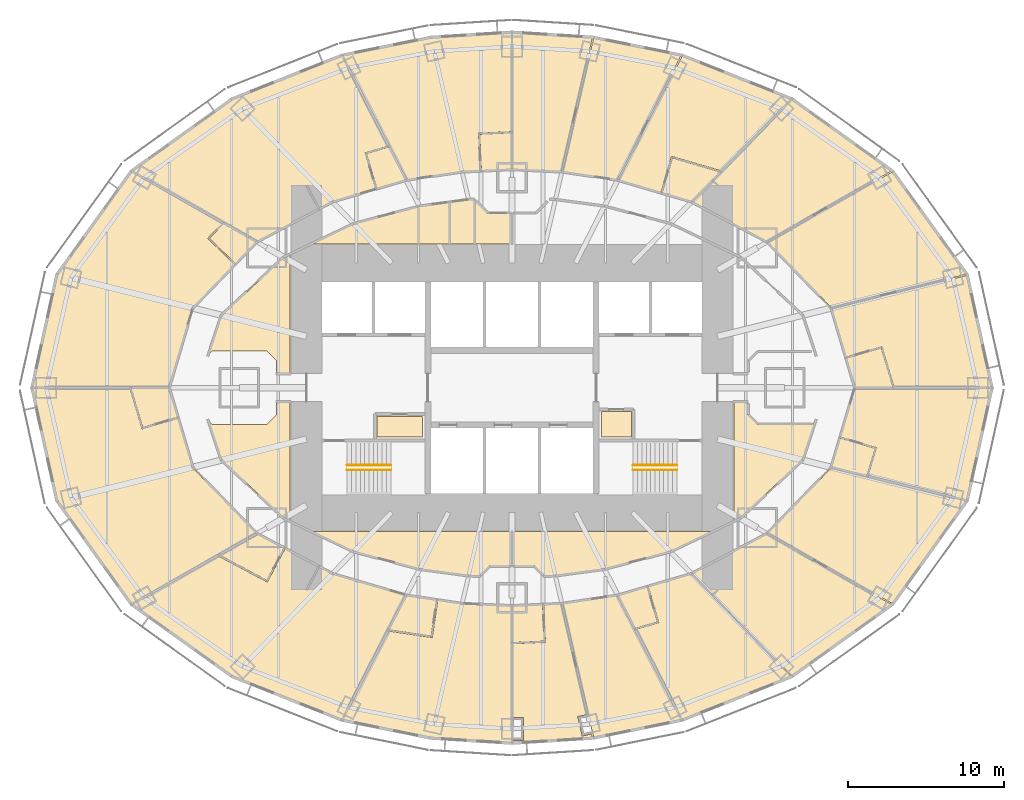
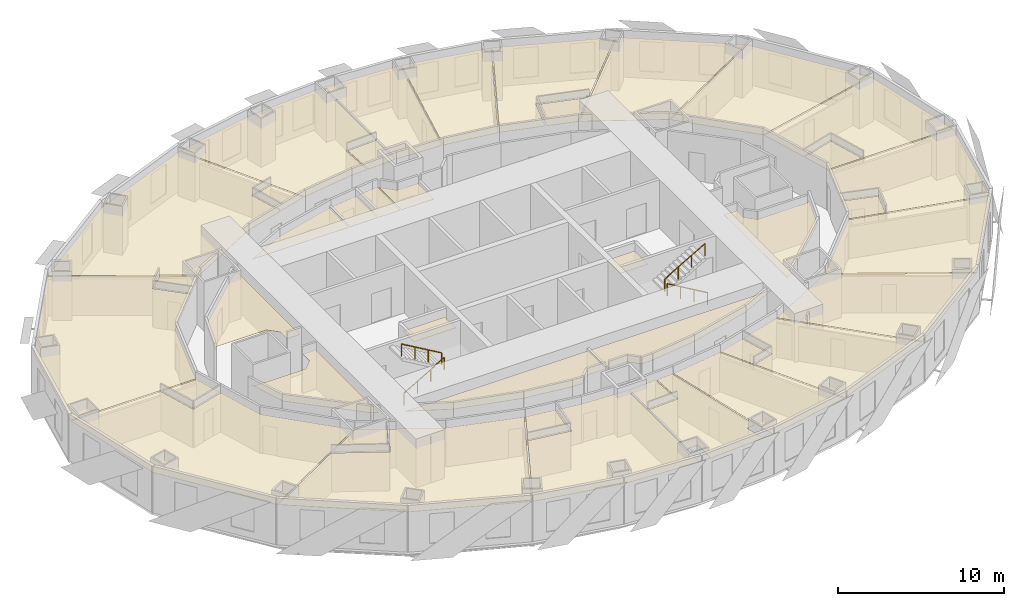
# One storey, part 15 of 15: 40 coverings, 4 railings.
"""IFC4 building model written with IfcOpenShell, lengths in metres."""

import ifcopenshell
import ifcopenshell.guid

model = None  # the IFC model being written
_history = None  # IfcOwnerHistory: only IFC2X3 demands one
_inside = {}  # id of a spatial element -> (the spatial element, [elements in it])
_under = {}  # id of a project, library or spatial element -> (it, [spatial elements below it])
_declared = {}  # id of a project -> (the project, [libraries it declares])
_typed = {}  # id of a type object -> (the type object, [elements of that type])
_made_of = {}  # id of a material, layer set ... -> (it, [elements and type objects made of it])


def new_model(schema):
    """Start an empty IFC model of exactly this schema.

    Asked for "IFC4X3", IfcOpenShell would pick the latest addendum, in which some entities
    have other attributes; the version numbers below select the first issue.
    IFC2X3 requires an IfcOwnerHistory on every rooted entity: one is made here for all.
    """
    global model, _history
    if schema == "IFC4X3":
        model = ifcopenshell.file(schema_version=(4, 3, 0, 0))
    else:
        model = ifcopenshell.file(schema=schema)
    _inside.clear()
    _under.clear()
    _declared.clear()
    _typed.clear()
    _made_of.clear()
    _history = None
    if model.schema == "IFC2X3":
        org = make("IfcOrganization", Name="unknown")
        user = make(
            "IfcPersonAndOrganization",
            ThePerson=make("IfcPerson", FamilyName="unknown"),
            TheOrganization=org,
        )
        app = make(
            "IfcApplication",
            ApplicationDeveloper=org,
            Version="unknown",
            ApplicationFullName="unknown",
            ApplicationIdentifier="unknown",
        )
        _history = make(
            "IfcOwnerHistory",
            OwningUser=user,
            OwningApplication=app,
            ChangeAction="ADDED",
            CreationDate=0,
        )
    return model


def make(cls, **values):
    """One entity of the class cls with the attributes given. An attribute that is None is left unset."""
    return model.create_entity(
        cls, **{name: value for name, value in values.items() if value is not None}
    )


def rooted(cls, **values):
    """An entity with a GlobalId (a new one), such as an element, a storey or a relation."""
    return make(cls, GlobalId=ifcopenshell.guid.new(), OwnerHistory=_history, **values)


def si_unit(unit_type, name, prefix=None):
    """IfcSIUnit, for example si_unit("LENGTHUNIT", "METRE", prefix="MILLI")."""
    return make("IfcSIUnit", UnitType=unit_type, Prefix=prefix, Name=name)


def assignment(units):
    """IfcUnitAssignment: the units of a project."""
    return None if units is None else make("IfcUnitAssignment", Units=units)


def point(xyz):
    """IfcCartesianPoint."""
    return None if xyz is None else make("IfcCartesianPoint", Coordinates=xyz)


def direction(xyz):
    """IfcDirection."""
    return None if xyz is None else make("IfcDirection", DirectionRatios=xyz)


def frame(location, z_axis=None, x_axis=None):
    """IfcAxis2Placement3D, a coordinate frame: its origin and axes. An axis left out is left unset."""
    return make(
        "IfcAxis2Placement3D",
        Location=point(location),
        Axis=direction(z_axis),
        RefDirection=direction(x_axis),
    )


def frame_2d(location, x_axis=None):
    """IfcAxis2Placement2D, a coordinate frame in the plane: its origin and x axis."""
    return make(
        "IfcAxis2Placement2D", Location=point(location), RefDirection=direction(x_axis)
    )


def origin():
    """The frame at (0, 0, 0) with its axes left unset."""
    return frame((0.0, 0.0, 0.0))


def origin_2d():
    """The frame at (0, 0) in the plane with its x axis left unset."""
    return frame_2d((0.0, 0.0))


def place(relative_to, where):
    """IfcLocalPlacement: puts the frame where relative to a parent placement (None: the world)."""
    return make(
        "IfcLocalPlacement", PlacementRelTo=relative_to, RelativePlacement=where
    )


def context(
    kind, dimensions, precision=None, world=None, true_north=None, identifier=None
):
    """IfcGeometricRepresentationContext, for example the 3D "Model" context."""
    return make(
        "IfcGeometricRepresentationContext",
        ContextIdentifier=identifier,
        ContextType=kind,
        CoordinateSpaceDimension=dimensions,
        Precision=precision,
        WorldCoordinateSystem=world,
        TrueNorth=true_north,
    )


def subcontext(parent, identifier, kind, view, scale=None):
    """IfcGeometricRepresentationSubContext, for example "Body" below "Model"."""
    return make(
        "IfcGeometricRepresentationSubContext",
        ContextIdentifier=identifier,
        ContextType=kind,
        ParentContext=parent,
        TargetScale=scale,
        TargetView=view,
    )


def project(units=None, contexts=None):
    """IfcProject with its units and contexts."""
    return rooted(
        "IfcProject",
        Name="project",
        RepresentationContexts=contexts,
        UnitsInContext=assignment(units),
    )


def spatial(cls, under=None, at=None, **own):
    """A site, building, storey or space (cls), placed at a placement, below another one or the project."""
    s = rooted(cls, ObjectPlacement=at, **own)
    if under is not None:
        _under.setdefault(under.id(), (under, []))[1].append(s)
    return s


def polyline(points):
    """IfcPolyline through the points."""
    return make("IfcPolyline", Points=[point(p) for p in points])


def profile(cls, at=None, kind="AREA", **sizes):
    """A parametric profile (cls). Its sizes go by their IFC names, for example OverallWidth=200.0."""
    return make(cls, ProfileType=kind, Position=at, **sizes)


def circle(**sizes):
    """IfcCircleProfileDef."""
    return profile("IfcCircleProfileDef", **sizes)


def outline(outer, holes=None, kind="AREA"):
    """IfcArbitraryClosedProfileDef: a profile drawn as a closed curve; with holes, ...WithVoids."""
    if holes is None:
        return make("IfcArbitraryClosedProfileDef", ProfileType=kind, OuterCurve=outer)
    return make(
        "IfcArbitraryProfileDefWithVoids",
        ProfileType=kind,
        OuterCurve=outer,
        InnerCurves=holes,
    )


def extrude(swept, where, along, depth):
    """IfcExtrudedAreaSolid: the profile swept, set in the frame where, extruded along a direction by depth."""
    return make(
        "IfcExtrudedAreaSolid",
        SweptArea=swept,
        Position=where,
        ExtrudedDirection=direction(along),
        Depth=depth,
    )


def shape(context_of_items, identifier, shape_type, items):
    """IfcShapeRepresentation: the items that make up one representation, for example the "Body"."""
    return make(
        "IfcShapeRepresentation",
        ContextOfItems=context_of_items,
        RepresentationIdentifier=identifier,
        RepresentationType=shape_type,
        Items=items,
    )


def material(Name=None, Category=None):
    """IfcMaterial."""
    return make("IfcMaterial", Name=Name, Category=Category)


def layer(
    of_material, thickness, ventilated=None, Name=None, Category=None, Priority=None
):
    """IfcMaterialLayer: one layer of a wall or slab, of a material (None: an air gap)."""
    return make(
        "IfcMaterialLayer",
        Material=of_material,
        LayerThickness=thickness,
        IsVentilated=ventilated,
        Name=Name,
        Category=Category,
        Priority=Priority,
    )


def layer_set(layers, Name=None):
    """IfcMaterialLayerSet."""
    return make("IfcMaterialLayerSet", MaterialLayers=layers, LayerSetName=Name)


def made_of(thing, what):
    """Note that an element or type object is made of a material, layer set ...; save() writes the relation."""
    if what is not None:
        _made_of.setdefault(what.id(), (what, []))[1].append(thing)
    return thing


def type_object(cls, material=None, **own):
    """A type object (cls), such as IfcWallType, which elements share."""
    return made_of(rooted(cls, **own), material)


def element(
    cls,
    number,
    at=None,
    inside=None,
    cuts=None,
    type_object=None,
    material=None,
    context=None,
    identifier="Body",
    shape_type=None,
    held_by="IfcProductDefinitionShape",
    body=None,
    shapes=None,
    **own,
):
    """One element of the class cls, such as IfcWall. Its Tag is "e" and its number.

    at: its placement. inside: the storey or other place that contains it. cuts: it is an
    opening in that element (IfcRelVoidsElement). A single representation is given by context,
    identifier, shape_type and body (its items); several are given by shapes. held_by: the class
    of the entity that holds the representations. save() writes the other relations.
    """
    e = rooted(cls, Tag="e%d" % number, ObjectPlacement=at, **own)
    if body is not None:
        shapes = [shape(context, identifier, shape_type, body)]
    if shapes is not None:
        e.Representation = make(held_by, Representations=shapes)
    if inside is not None:
        _inside.setdefault(inside.id(), (inside, []))[1].append(e)
    if cuts is not None:
        rooted(
            "IfcRelVoidsElement", RelatingBuildingElement=cuts, RelatedOpeningElement=e
        )
    if type_object is not None:
        _typed.setdefault(type_object.id(), (type_object, []))[1].append(e)
    return made_of(e, material)


def aggregate(whole, parts):
    """IfcRelAggregates: a whole, such as a stair, and the parts it consists of."""
    return rooted("IfcRelAggregates", RelatingObject=whole, RelatedObjects=parts)


def save(model, path):
    """Write the relations noted so far, then the file.

    IfcRelAggregates (storeys below a building ...), IfcRelContainedInSpatialStructure (elements
    in a storey), IfcRelDefinesByType, IfcRelAssociatesMaterial and IfcRelDeclares: one each for
    every whole, place, type object, material and project.
    """
    for whole, parts in _under.values():
        aggregate(whole, parts)
    for where, things in _inside.values():
        rooted(
            "IfcRelContainedInSpatialStructure",
            RelatedElements=things,
            RelatingStructure=where,
        )
    for kind, things in _typed.values():
        rooted("IfcRelDefinesByType", RelatedObjects=things, RelatingType=kind)
    for what, things in _made_of.values():
        rooted("IfcRelAssociatesMaterial", RelatedObjects=things, RelatingMaterial=what)
    for by, libraries in _declared.values():
        rooted("IfcRelDeclares", RelatingContext=by, RelatedDefinitions=libraries)
    model.write(path)


model = new_model("IFC4")

# Units and contexts
model_context = context("Model", 3, precision=1e-05, world=origin(), true_north=direction((0.0, 1.0)))
body_context = subcontext(model_context, "Body", "Model", "MODEL_VIEW")
ifc_project = project(units=[si_unit("LENGTHUNIT", "METRE"), si_unit("AREAUNIT", "SQUARE_METRE"), si_unit("VOLUMEUNIT", "CUBIC_METRE"), si_unit("PLANEANGLEUNIT", "RADIAN"), si_unit("MASSUNIT", "GRAM", prefix="KILO")], contexts=[model_context])

# Site, building, storey
site_placement = place(None, origin())
site = spatial("IfcSite", under=ifc_project, at=site_placement, CompositionType="ELEMENT")
building_placement = place(site_placement, origin())
building = spatial("IfcBuilding", under=site, at=building_placement, Name="Lantaw Convention Tower", CompositionType="ELEMENT")
storey_placement = place(building_placement, frame((0.0, 0.0, 76.60009765625)))
storey = spatial("IfcBuildingStorey", under=building, at=storey_placement, Name="L17", CompositionType="ELEMENT", Elevation=76.60009765625)

# Railings
ifc_material_1 = material(Name="Stainless steel", Category="steel")
railing_type = type_object("IfcRailingType", Name="Stair handrail", PredefinedType="HANDRAIL", material=ifc_material_1)
railing_1_placement = place(storey_placement, frame((-10.580078125, -5.280029296875, 0.16357421875)))
element("IfcRailing", 1, at=railing_1_placement, inside=storey, type_object=railing_type, Name="Stair handrail S1", PredefinedType="HANDRAIL", context=body_context, shape_type="SweptSolid", body=[
    extrude(circle(Radius=0.02392578125, at=origin_2d()), frame((0.0, 0.0, 0.8759765625), z_axis=(0.863393664356, 0.0, 0.504530851732), x_axis=(0.0, 1.0, 0.0)), (0.0, 0.0, 1.0), 3.2431640625),
    extrude(circle(Radius=0.02099609375, at=origin_2d()), origin(), (0.0, 0.0, 1.0), 0.851806640625),
    extrude(circle(Radius=0.02099609375, at=origin_2d()), frame((0.933349609375, 0.0, 0.54541015625)), (0.0, 0.0, 1.0), 0.851806640625),
    extrude(circle(Radius=0.02099609375, at=origin_2d()), frame((1.86669921875, 0.0, 1.0908203125)), (0.0, 0.0, 1.0), 0.851806640625),
    extrude(circle(Radius=0.02099609375, at=origin_2d()), frame((2.800048828125, 0.0, 1.63623046875)), (0.0, 0.0, 1.0), 0.851806640625),
])
for number, where, name in (
    (2, (-7.780029296875, -4.97998046875, 1.963623046875), "Stair handrail S1"),
    (3, (10.580078125, -5.280029296875, 0.16357421875), "Stair handrail S2"),
):
    element("IfcRailing", number, at=place(storey_placement, frame(where)), inside=storey, type_object=railing_type, Name=name, PredefinedType="HANDRAIL", context=body_context, shape_type="SweptSolid", body=[
        extrude(circle(Radius=0.02392578125, at=origin_2d()), frame((0.0, 0.0, 0.8759765625), z_axis=(-0.863393664356, 0.0, 0.504530851732), x_axis=(0.0, -1.0, 0.0)), (0.0, 0.0, 1.0), 3.2431640625),
        extrude(circle(Radius=0.02099609375, at=origin_2d()), origin(), (0.0, 0.0, 1.0), 0.851806640625),
        extrude(circle(Radius=0.02099609375, at=origin_2d()), frame((-0.933349609375, 0.0, 0.54541015625)), (0.0, 0.0, 1.0), 0.851806640625),
        extrude(circle(Radius=0.02099609375, at=origin_2d()), frame((-1.86669921875, 0.0, 1.0908203125)), (0.0, 0.0, 1.0), 0.851806640625),
        extrude(circle(Radius=0.02099609375, at=origin_2d()), frame((-2.800048828125, 0.0, 1.63623046875)), (0.0, 0.0, 1.0), 0.851806640625),
    ])
railing_2_placement = place(storey_placement, frame((7.780029296875, -4.97998046875, 1.963623046875)))
element("IfcRailing", 4, at=railing_2_placement, inside=storey, type_object=railing_type, Name="Stair handrail S2", PredefinedType="HANDRAIL", context=body_context, shape_type="SweptSolid", body=[
    extrude(circle(Radius=0.02392578125, at=origin_2d()), frame((0.0, 0.0, 0.8759765625), z_axis=(0.863393664356, 0.0, 0.504530851732), x_axis=(0.0, 1.0, 0.0)), (0.0, 0.0, 1.0), 3.2431640625),
    extrude(circle(Radius=0.02099609375, at=origin_2d()), origin(), (0.0, 0.0, 1.0), 0.851806640625),
    extrude(circle(Radius=0.02099609375, at=origin_2d()), frame((0.933349609375, 0.0, 0.54541015625)), (0.0, 0.0, 1.0), 0.851806640625),
    extrude(circle(Radius=0.02099609375, at=origin_2d()), frame((1.86669921875, 0.0, 1.0908203125)), (0.0, 0.0, 1.0), 0.851806640625),
    extrude(circle(Radius=0.02099609375, at=origin_2d()), frame((2.800048828125, 0.0, 1.63623046875)), (0.0, 0.0, 1.0), 0.851806640625),
])

# Coverings
ifc_material_2 = material(Name="Gypsum board on steel suspension grid", Category="steel")
ifc_layer = layer(ifc_material_2, 0.02001953125)
ifc_layer_set = layer_set([ifc_layer], Name="Suspended ceiling")
covering_type = type_object("IfcCoveringType", Name="Suspended ceiling", PredefinedType="CEILING", material=ifc_layer_set)
covering_1_placement = place(storey_placement, frame((0.0, 0.0, 2.849853515625)))
element("IfcCovering", 5, at=covering_1_placement, inside=storey, type_object=covering_type, Name="IT and comms room ceiling", PredefinedType="CEILING", context=body_context, shape_type="SweptSolid", body=[
    extrude(outline(polyline([(-8.659912109375, -3.159912109375), (-5.739990234375, -3.159912109375), (-5.739990234375, -1.840087890625), (-8.659912109375, -1.840087890625), (-8.659912109375, -3.159912109375)])), origin(), (0.0, 0.0, 1.0), 0.02001953125),
])
covering_2_placement = place(storey_placement, frame((0.0, 0.0, 2.849853515625)))
element("IfcCovering", 6, at=covering_2_placement, inside=storey, type_object=covering_type, Name="Staff WC ceiling", PredefinedType="CEILING", context=body_context, shape_type="SweptSolid", body=[
    extrude(outline(polyline([(5.739990234375, -3.159912109375), (7.659912109375, -3.159912109375), (7.659912109375, -1.5400390625), (5.739990234375, -1.5400390625), (5.739990234375, -3.159912109375)])), origin(), (0.0, 0.0, 1.0), 0.02001953125),
])
covering_3_placement = place(storey_placement, frame((0.0, 0.0, 2.849853515625)))
element("IfcCovering", 7, at=covering_3_placement, inside=storey, type_object=covering_type, Name="Housekeeping room ceiling", PredefinedType="CEILING", context=body_context, shape_type="SweptSolid", body=[
    extrude(outline(polyline([(-14.239990234375, 8.5478515625), (-14.650390625, 8.351318359375), (-18.63671875, 4.633056640625), (-19.449951171875, 2.15625), (-19.2412109375, 2.364990234375), (-15.7587890625, 2.364990234375), (-15.135009765625, 1.7412109375), (-15.135009765625, 0.93994140625), (-14.239990234375, 0.93994140625), (-14.239990234375, 8.5478515625)])), origin(), (0.0, 0.0, 1.0), 0.02001953125),
])
covering_4_placement = place(storey_placement, frame((0.0, 0.0, 2.849853515625)))
element("IfcCovering", 8, at=covering_4_placement, inside=storey, type_object=covering_type, Name="Accessible WC ceiling", PredefinedType="CEILING", context=body_context, shape_type="SweptSolid", body=[
    extrude(outline(polyline([(-2.360107421875, 9.239990234375), (-0.114990234375, 9.239990234375), (-0.114990234375, 11.175048828125), (-1.548828125, 11.175048828125), (-2.324951171875, 11.951171875), (-2.324951171875, 11.963134765625), (-2.360107421875, 11.998046875), (-2.360107421875, 9.239990234375)])), origin(), (0.0, 0.0, 1.0), 0.02001953125),
])
covering_5_placement = place(storey_placement, frame((0.0, 0.0, 2.849853515625)))
element("IfcCovering", 9, at=covering_5_placement, inside=storey, type_object=covering_type, Name="Staff WC ceiling", PredefinedType="CEILING", context=body_context, shape_type="SweptSolid", body=[
    extrude(outline(polyline([(-2.43994140625, 12.0576171875), (-2.7861328125, 12.043212890625), (-3.9599609375, 11.8857421875), (-3.9599609375, 9.239990234375), (-2.43994140625, 9.239990234375), (-2.43994140625, 12.0576171875)])), origin(), (0.0, 0.0, 1.0), 0.02001953125),
])
covering_6_placement = place(storey_placement, frame((0.0, 0.0, 2.849853515625)))
element("IfcCovering", 10, at=covering_6_placement, inside=storey, type_object=covering_type, Name="Housekeeping pantry ceiling", PredefinedType="CEILING", context=body_context, shape_type="SweptSolid", body=[
    extrude(outline(polyline([(-5.9599609375, 9.239990234375), (-4.0400390625, 9.239990234375), (-4.0400390625, 11.875), (-5.933349609375, 11.62109375), (-5.9599609375, 11.614013671875), (-5.9599609375, 9.239990234375)])), origin(), (0.0, 0.0, 1.0), 0.02001953125),
])
covering_7_placement = place(storey_placement, frame((0.0, 0.0, 2.849853515625)))
element("IfcCovering", 11, at=covering_7_placement, inside=storey, type_object=covering_type, Name="Housekeeping room ceiling", PredefinedType="CEILING", context=body_context, shape_type="SweptSolid", body=[
    extrude(outline(polyline([(-10.1630859375, 10.500732421875), (-12.795166015625, 9.239990234375), (-6.050048828125, 9.239990234375), (-6.050048828125, 11.590087890625), (-10.1630859375, 10.500732421875)])), origin(), (0.0, 0.0, 1.0), 0.02001953125),
])
covering_8_placement = place(storey_placement, frame((0.0, 0.0, 2.849853515625)))
element("IfcCovering", 12, at=covering_8_placement, inside=storey, type_object=covering_type, Name="Staff room ceiling", PredefinedType="CEILING", context=body_context, shape_type="SweptSolid", body=[
    extrude(outline(polyline([(-14.239990234375, -0.93994140625), (-15.135009765625, -0.93994140625), (-15.135009765625, -1.7412109375), (-15.7587890625, -2.364990234375), (-19.2412109375, -2.364990234375), (-19.449951171875, -2.15625), (-18.63671875, -4.633056640625), (-14.650390625, -8.351318359375), (-14.239990234375, -8.5478515625), (-14.239990234375, -0.93994140625)])), origin(), (0.0, 0.0, 1.0), 0.02001953125),
])
covering_9_placement = place(storey_placement, frame((0.0, 0.0, 2.849853515625)))
element("IfcCovering", 13, at=covering_9_placement, inside=storey, type_object=covering_type, Name="Staff room ceiling", PredefinedType="CEILING", context=body_context, shape_type="SweptSolid", body=[
    extrude(outline(polyline([(-5.933349609375, -11.62109375), (-2.7861328125, -12.043212890625), (-2.06494140625, -12.073486328125), (-2.06494140625, -12.058837890625), (-1.441162109375, -11.43505859375), (-0.0400390625, -11.43505859375), (-0.0400390625, -9.239990234375), (-12.795166015625, -9.239990234375), (-10.1630859375, -10.500732421875), (-5.933349609375, -11.62109375)])), origin(), (0.0, 0.0, 1.0), 0.02001953125),
])
covering_10_placement = place(storey_placement, frame((0.0, 0.0, 2.849853515625)))
element("IfcCovering", 14, at=covering_10_placement, inside=storey, type_object=covering_type, Name="Room service pantry ceiling", PredefinedType="CEILING", context=body_context, shape_type="SweptSolid", body=[
    extrude(outline(polyline([(14.239990234375, -8.5478515625), (14.650390625, -8.351318359375), (18.63671875, -4.633056640625), (19.449951171875, -2.15625), (19.2412109375, -2.364990234375), (15.7587890625, -2.364990234375), (15.135009765625, -1.7412109375), (15.135009765625, -0.93994140625), (14.239990234375, -0.93994140625), (14.239990234375, -8.5478515625)])), origin(), (0.0, 0.0, 1.0), 0.02001953125),
])
covering_11_placement = place(storey_placement, frame((0.0, 0.0, 2.849853515625)))
element("IfcCovering", 15, at=covering_11_placement, inside=storey, type_object=covering_type, Name="Room service pantry ceiling", PredefinedType="CEILING", context=body_context, shape_type="SweptSolid", body=[
    extrude(outline(polyline([(2.06494140625, -12.073486328125), (2.7861328125, -12.043212890625), (5.933349609375, -11.62109375), (10.1630859375, -10.500732421875), (12.795166015625, -9.239990234375), (0.0400390625, -9.239990234375), (0.0400390625, -11.43505859375), (1.441162109375, -11.43505859375), (2.06494140625, -12.058837890625), (2.06494140625, -12.073486328125)])), origin(), (0.0, 0.0, 1.0), 0.02001953125),
])
covering_12_placement = place(storey_placement, frame((0.0, 0.0, 2.849853515625)))
element("IfcCovering", 16, at=covering_12_placement, inside=storey, type_object=covering_type, Name="Suite bathroom ceiling", PredefinedType="CEILING", context=body_context, shape_type="SweptSolid", body=[
    extrude(outline(polyline([(22.02978515625, 0.0400390625), (24.449951171875, 0.0400390625), (23.70458984375, 2.550537109375), (21.48046875, 1.890380859375), (22.02978515625, 0.0400390625)])), origin(), (0.0, 0.0, 1.0), 0.02001953125),
])
covering_13_placement = place(storey_placement, frame((0.0, 0.0, 2.849853515625)))
element("IfcCovering", 17, at=covering_13_placement, inside=storey, type_object=covering_type, Name="Suite bedroom ceiling", PredefinedType="CEILING", context=body_context, shape_type="SweptSolid", body=[
    extrude(outline(polyline([(20.5341796875, 5.078369140625), (21.457763671875, 1.967041015625), (23.758544921875, 2.650146484375), (24.533447265625, 0.0400390625), (30.77099609375, 0.0400390625), (29.191650390625, 7.205078125), (20.5341796875, 5.078369140625)])), origin(), (0.0, 0.0, 1.0), 0.02001953125),
])
covering_14_placement = place(storey_placement, frame((0.0, 0.0, 2.849853515625)))
element("IfcCovering", 18, at=covering_14_placement, inside=storey, type_object=covering_type, Name="Suite living room ceiling", PredefinedType="CEILING", context=body_context, shape_type="SweptSolid", body=[
    extrude(outline(polyline([(20.49658203125, 5.151611328125), (29.155029296875, 7.2783203125), (24.423095703125, 13.8564453125), (16.433837890625, 9.344482421875), (20.49658203125, 5.151611328125)])), origin(), (0.0, 0.0, 1.0), 0.02001953125),
])
covering_15_placement = place(storey_placement, frame((0.0, 0.0, 2.849853515625)))
element("IfcCovering", 19, at=covering_15_placement, inside=storey, type_object=covering_type, Name="Suite kitchenette and dining room ceiling", PredefinedType="CEILING", context=body_context, shape_type="SweptSolid", body=[
    extrude(outline(polyline([(16.368408203125, 9.3994140625), (24.3603515625, 13.912841796875), (17.97509765625, 18.4892578125), (11.58447265625, 11.93798828125), (16.368408203125, 9.3994140625)])), origin(), (0.0, 0.0, 1.0), 0.02001953125),
])
covering_16_placement = place(storey_placement, frame((0.0, 0.0, 2.849853515625)))
element("IfcCovering", 20, at=covering_16_placement, inside=storey, type_object=covering_type, Name="Suite bathroom ceiling", PredefinedType="CEILING", context=body_context, shape_type="SweptSolid", body=[
    extrude(outline(polyline([(11.506591796875, 11.972900390625), (13.32568359375, 13.856689453125), (10.302734375, 14.744384765625), (9.649169921875, 12.518310546875), (11.506591796875, 11.972900390625)])), origin(), (0.0, 0.0, 1.0), 0.02001953125),
])
covering_17_placement = place(storey_placement, frame((0.0, 0.0, 2.849853515625)))
element("IfcCovering", 21, at=covering_17_placement, inside=storey, type_object=covering_type, Name="Suite bedroom ceiling", PredefinedType="CEILING", context=body_context, shape_type="SweptSolid", body=[
    extrude(outline(polyline([(10.930908203125, 21.294921875), (6.84326171875, 13.34228515625), (9.560791015625, 12.544189453125), (10.240478515625, 14.858642578125), (13.412841796875, 13.927001953125), (17.89990234375, 18.526611328125), (10.930908203125, 21.294921875)])), origin(), (0.0, 0.0, 1.0), 0.02001953125),
])
covering_18_placement = place(storey_placement, frame((0.0, 0.0, 2.849853515625)))
element("IfcCovering", 22, at=covering_18_placement, inside=storey, type_object=covering_type, Name="Suite living room ceiling", PredefinedType="CEILING", context=body_context, shape_type="SweptSolid", body=[
    extrude(outline(polyline([(6.76318359375, 13.361328125), (10.852294921875, 21.31689453125), (5.240966796875, 22.448974609375), (3.24658203125, 13.884521484375), (6.76318359375, 13.361328125)])), origin(), (0.0, 0.0, 1.0), 0.02001953125),
])
covering_19_placement = place(storey_placement, frame((0.0, 0.0, 2.849853515625)))
element("IfcCovering", 23, at=covering_19_placement, inside=storey, type_object=covering_type, Name="Suite kitchenette and dining room ceiling", PredefinedType="CEILING", context=body_context, shape_type="SweptSolid", body=[
    extrude(outline(polyline([(3.16650390625, 13.892822265625), (5.1611328125, 22.458984375), (0.0400390625, 22.781982421875), (0.0400390625, 14.0380859375), (3.16650390625, 13.892822265625)])), origin(), (0.0, 0.0, 1.0), 0.02001953125),
])
covering_20_placement = place(storey_placement, frame((0.0, 0.0, 2.849853515625)))
element("IfcCovering", 24, at=covering_20_placement, inside=storey, type_object=covering_type, Name="Junior suite bathroom ceiling", PredefinedType="CEILING", context=body_context, shape_type="SweptSolid", body=[
    extrude(outline(polyline([(-0.0400390625, 14.0380859375), (-0.0400390625, 16.360595703125), (-2.0673828125, 16.266357421875), (-1.959716796875, 13.948974609375), (-0.0400390625, 14.0380859375)])), origin(), (0.0, 0.0, 1.0), 0.02001953125),
])
covering_21_placement = place(storey_placement, frame((0.0, 0.0, 2.849853515625)))
element("IfcCovering", 25, at=covering_21_placement, inside=storey, type_object=covering_type, Name="Junior suite ceiling", PredefinedType="CEILING", context=body_context, shape_type="SweptSolid", body=[
    extrude(outline(polyline([(-3.20166015625, 13.89111328125), (-2.03955078125, 13.9453125), (-2.151123046875, 16.342529296875), (-0.0400390625, 16.440673828125), (-0.0400390625, 22.781982421875), (-5.20556640625, 22.456298828125), (-10.852294921875, 21.31689453125), (-6.76318359375, 13.361328125), (-3.20166015625, 13.89111328125)])), origin(), (0.0, 0.0, 1.0), 0.02001953125),
])
covering_22_placement = place(storey_placement, frame((0.0, 0.0, 2.849853515625)))
element("IfcCovering", 26, at=covering_22_placement, inside=storey, type_object=covering_type, Name="Junior suite bathroom ceiling", PredefinedType="CEILING", context=body_context, shape_type="SweptSolid", body=[
    extrude(outline(polyline([(-6.843017578125, 13.34228515625), (-7.914794921875, 15.445556640625), (-9.3310546875, 15.02978515625), (-8.677490234375, 12.8037109375), (-6.843017578125, 13.34228515625)])), origin(), (0.0, 0.0, 1.0), 0.02001953125),
])
covering_23_placement = place(storey_placement, frame((0.0, 0.0, 2.849853515625)))
element("IfcCovering", 27, at=covering_23_placement, inside=storey, type_object=covering_type, Name="Junior suite ceiling", PredefinedType="CEILING", context=body_context, shape_type="SweptSolid", body=[
    extrude(outline(polyline([(-11.53369140625, 11.965087890625), (-8.754150390625, 12.781005859375), (-9.430419921875, 15.083984375), (-7.96044921875, 15.515625), (-10.930908203125, 21.294921875), (-17.951171875, 18.50634765625), (-24.3603515625, 13.912841796875), (-16.368408203125, 9.3994140625), (-11.53369140625, 11.965087890625)])), origin(), (0.0, 0.0, 1.0), 0.02001953125),
])
covering_24_placement = place(storey_placement, frame((0.0, 0.0, 2.849853515625)))
element("IfcCovering", 28, at=covering_24_placement, inside=storey, type_object=covering_type, Name="Junior suite bathroom ceiling", PredefinedType="CEILING", context=body_context, shape_type="SweptSolid", body=[
    extrude(outline(polyline([(-16.43359375, 9.344482421875), (-18.512939453125, 10.53271484375), (-19.427734375, 9.58837890625), (-17.76171875, 7.97412109375), (-16.43359375, 9.344482421875)])), origin(), (0.0, 0.0, 1.0), 0.02001953125),
])
covering_25_placement = place(storey_placement, frame((0.0, 0.0, 2.849853515625)))
element("IfcCovering", 29, at=covering_25_placement, inside=storey, type_object=covering_type, Name="Junior suite ceiling", PredefinedType="CEILING", context=body_context, shape_type="SweptSolid", body=[
    extrude(outline(polyline([(-20.51953125, 5.1279296875), (-17.8173828125, 7.91650390625), (-19.541015625, 9.586669921875), (-18.59375, 10.564208984375), (-24.423095703125, 13.8564453125), (-29.184814453125, 7.237060546875), (-30.77099609375, 0.0400390625), (-22.02978515625, 0.0400390625), (-20.51953125, 5.1279296875)])), origin(), (0.0, 0.0, 1.0), 0.02001953125),
])
covering_26_placement = place(storey_placement, frame((0.0, 0.0, 2.849853515625)))
element("IfcCovering", 30, at=covering_26_placement, inside=storey, type_object=covering_type, Name="Junior suite bathroom ceiling", PredefinedType="CEILING", context=body_context, shape_type="SweptSolid", body=[
    extrude(outline(polyline([(-22.02978515625, -0.0400390625), (-24.449951171875, -0.0400390625), (-23.70458984375, -2.550537109375), (-21.48046875, -1.890380859375), (-22.02978515625, -0.0400390625)])), origin(), (0.0, 0.0, 1.0), 0.02001953125),
])
covering_27_placement = place(storey_placement, frame((0.0, 0.0, 2.849853515625)))
element("IfcCovering", 31, at=covering_27_placement, inside=storey, type_object=covering_type, Name="Junior suite ceiling", PredefinedType="CEILING", context=body_context, shape_type="SweptSolid", body=[
    extrude(outline(polyline([(-21.457763671875, -1.967041015625), (-23.758544921875, -2.650146484375), (-24.533447265625, -0.0400390625), (-30.77099609375, -0.0400390625), (-29.184814453125, -7.237060546875), (-24.423095703125, -13.8564453125), (-16.433837890625, -9.344482421875), (-20.51953125, -5.1279296875), (-21.457763671875, -1.967041015625)])), origin(), (0.0, 0.0, 1.0), 0.02001953125),
])
covering_28_placement = place(storey_placement, frame((0.0, 0.0, 2.849853515625)))
element("IfcCovering", 32, at=covering_28_placement, inside=storey, type_object=covering_type, Name="Junior suite bathroom ceiling", PredefinedType="CEILING", context=body_context, shape_type="SweptSolid", body=[
    extrude(outline(polyline([(-16.368408203125, -9.3994140625), (-18.75146484375, -10.76123046875), (-15.743896484375, -12.357177734375), (-14.656494140625, -10.307861328125), (-16.368408203125, -9.3994140625)])), origin(), (0.0, 0.0, 1.0), 0.02001953125),
])
covering_29_placement = place(storey_placement, frame((0.0, 0.0, 2.849853515625)))
element("IfcCovering", 33, at=covering_29_placement, inside=storey, type_object=covering_type, Name="Junior suite ceiling", PredefinedType="CEILING", context=body_context, shape_type="SweptSolid", body=[
    extrude(outline(polyline([(-18.861328125, -10.80712890625), (-24.3603515625, -13.912841796875), (-17.951171875, -18.50634765625), (-10.930908203125, -21.294921875), (-6.84326171875, -13.34228515625), (-11.53369140625, -11.965087890625), (-14.5751953125, -10.35107421875), (-15.705810546875, -12.4814453125), (-18.861328125, -10.80712890625)])), origin(), (0.0, 0.0, 1.0), 0.02001953125),
])
covering_30_placement = place(storey_placement, frame((0.0, 0.0, 2.849853515625)))
element("IfcCovering", 34, at=covering_30_placement, inside=storey, type_object=covering_type, Name="Junior suite bathroom ceiling", PredefinedType="CEILING", context=body_context, shape_type="SweptSolid", body=[
    extrude(outline(polyline([(-6.762939453125, -13.361328125), (-7.873779296875, -15.54150390625), (-5.1943359375, -15.940185546875), (-4.852783203125, -13.6455078125), (-6.762939453125, -13.361328125)])), origin(), (0.0, 0.0, 1.0), 0.02001953125),
])
covering_31_placement = place(storey_placement, frame((0.0, 0.0, 2.849853515625)))
element("IfcCovering", 35, at=covering_31_placement, inside=storey, type_object=covering_type, Name="Junior suite ceiling", PredefinedType="CEILING", context=body_context, shape_type="SweptSolid", body=[
    extrude(outline(polyline([(-3.20166015625, -13.89111328125), (-4.76171875, -13.658935546875), (-5.11669921875, -16.044677734375), (-7.927490234375, -15.62646484375), (-10.852294921875, -21.31689453125), (-5.20556640625, -22.456298828125), (-0.0400390625, -22.781982421875), (-0.0400390625, -14.0380859375), (-3.20166015625, -13.89111328125)])), origin(), (0.0, 0.0, 1.0), 0.02001953125),
])
covering_32_placement = place(storey_placement, frame((0.0, 0.0, 2.849853515625)))
element("IfcCovering", 36, at=covering_32_placement, inside=storey, type_object=covering_type, Name="Suite bathroom ceiling", PredefinedType="CEILING", context=body_context, shape_type="SweptSolid", body=[
    extrude(outline(polyline([(0.0400390625, -14.0380859375), (0.0400390625, -16.360595703125), (2.0673828125, -16.266357421875), (1.959716796875, -13.948974609375), (0.0400390625, -14.0380859375)])), origin(), (0.0, 0.0, 1.0), 0.02001953125),
])
covering_33_placement = place(storey_placement, frame((0.0, 0.0, 2.849853515625)))
element("IfcCovering", 37, at=covering_33_placement, inside=storey, type_object=covering_type, Name="Suite bedroom ceiling", PredefinedType="CEILING", context=body_context, shape_type="SweptSolid", body=[
    extrude(outline(polyline([(2.03955078125, -13.9453125), (2.151123046875, -16.342529296875), (0.0400390625, -16.440673828125), (0.0400390625, -21.159912109375), (0.739990234375, -21.159912109375), (0.739990234375, -22.639892578125), (0.0400390625, -22.639892578125), (0.0400390625, -22.781982421875), (5.1611328125, -22.458984375), (5.107177734375, -22.22705078125), (4.506591796875, -22.365478515625), (4.21875, -21.118408203125), (4.81689453125, -20.980224609375), (3.16650390625, -13.892822265625), (2.03955078125, -13.9453125)])), origin(), (0.0, 0.0, 1.0), 0.02001953125),
])
covering_34_placement = place(storey_placement, frame((0.0, 0.0, 2.849853515625)))
element("IfcCovering", 38, at=covering_34_placement, inside=storey, type_object=covering_type, Name="Suite living room ceiling", PredefinedType="CEILING", context=body_context, shape_type="SweptSolid", body=[
    extrude(outline(polyline([(3.24658203125, -13.884521484375), (5.240966796875, -22.448974609375), (10.852294921875, -21.31689453125), (6.76318359375, -13.361328125), (3.24658203125, -13.884521484375)])), origin(), (0.0, 0.0, 1.0), 0.02001953125),
])
covering_35_placement = place(storey_placement, frame((0.0, 0.0, 2.849853515625)))
element("IfcCovering", 39, at=covering_35_placement, inside=storey, type_object=covering_type, Name="Suite bathroom ceiling", PredefinedType="CEILING", context=body_context, shape_type="SweptSolid", body=[
    extrude(outline(polyline([(6.843017578125, -13.34228515625), (7.914794921875, -15.445556640625), (9.3310546875, -15.02978515625), (8.677490234375, -12.8037109375), (6.843017578125, -13.34228515625)])), origin(), (0.0, 0.0, 1.0), 0.02001953125),
])
covering_36_placement = place(storey_placement, frame((0.0, 0.0, 2.849853515625)))
element("IfcCovering", 40, at=covering_36_placement, inside=storey, type_object=covering_type, Name="Suite bedroom ceiling", PredefinedType="CEILING", context=body_context, shape_type="SweptSolid", body=[
    extrude(outline(polyline([(11.506591796875, -11.972900390625), (8.754150390625, -12.781005859375), (9.430419921875, -15.083984375), (7.96044921875, -15.515625), (10.930908203125, -21.294921875), (17.89990234375, -18.526611328125), (11.506591796875, -11.972900390625)])), origin(), (0.0, 0.0, 1.0), 0.02001953125),
])
covering_37_placement = place(storey_placement, frame((0.0, 0.0, 2.849853515625)))
element("IfcCovering", 41, at=covering_37_placement, inside=storey, type_object=covering_type, Name="Suite living room ceiling", PredefinedType="CEILING", context=body_context, shape_type="SweptSolid", body=[
    extrude(outline(polyline([(11.58447265625, -11.93798828125), (17.97509765625, -18.4892578125), (24.3603515625, -13.912841796875), (16.368408203125, -9.3994140625), (11.58447265625, -11.93798828125)])), origin(), (0.0, 0.0, 1.0), 0.02001953125),
])
covering_38_placement = place(storey_placement, frame((0.0, 0.0, 2.849853515625)))
element("IfcCovering", 42, at=covering_38_placement, inside=storey, type_object=covering_type, Name="Suite kitchenette and dining room ceiling", PredefinedType="CEILING", context=body_context, shape_type="SweptSolid", body=[
    extrude(outline(polyline([(16.433837890625, -9.344482421875), (24.423095703125, -13.8564453125), (29.155029296875, -7.2783203125), (20.49658203125, -5.151611328125), (16.433837890625, -9.344482421875)])), origin(), (0.0, 0.0, 1.0), 0.02001953125),
])
covering_39_placement = place(storey_placement, frame((0.0, 0.0, 2.849853515625)))
element("IfcCovering", 43, at=covering_39_placement, inside=storey, type_object=covering_type, Name="Guest bathroom ceiling", PredefinedType="CEILING", context=body_context, shape_type="SweptSolid", body=[
    extrude(outline(polyline([(20.5341796875, -5.07861328125), (22.787353515625, -5.640380859375), (23.30419921875, -3.89990234375), (21.080078125, -3.23974609375), (20.5341796875, -5.07861328125)])), origin(), (0.0, 0.0, 1.0), 0.02001953125),
])
covering_40_placement = place(storey_placement, frame((0.0, 0.0, 2.849853515625)))
element("IfcCovering", 44, at=covering_40_placement, inside=storey, type_object=covering_type, Name="Guest room ceiling", PredefinedType="CEILING", context=body_context, shape_type="SweptSolid", body=[
    extrude(outline(polyline([(22.02978515625, -0.0400390625), (21.102783203125, -3.162841796875), (23.403564453125, -3.845947265625), (22.867431640625, -5.651611328125), (29.191650390625, -7.205078125), (30.77099609375, -0.0400390625), (22.02978515625, -0.0400390625)])), origin(), (0.0, 0.0, 1.0), 0.02001953125),
])

save(model, "model.ifc")
